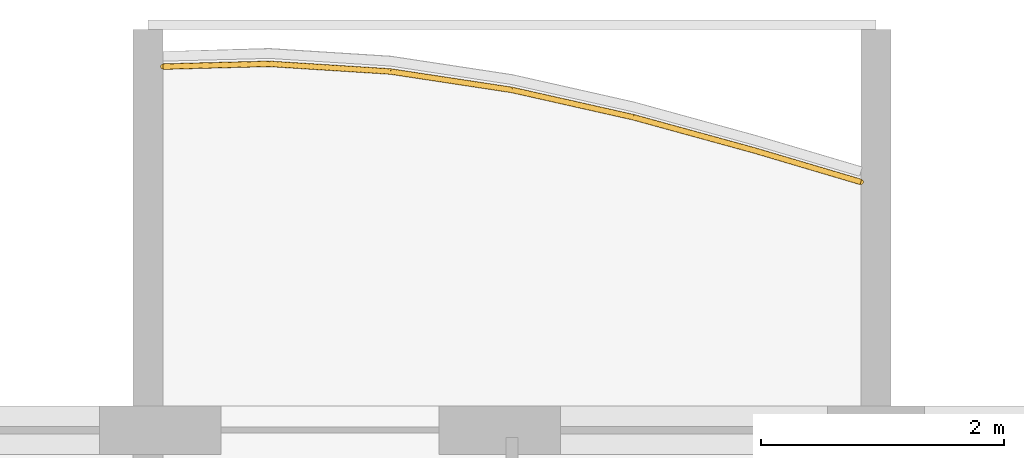
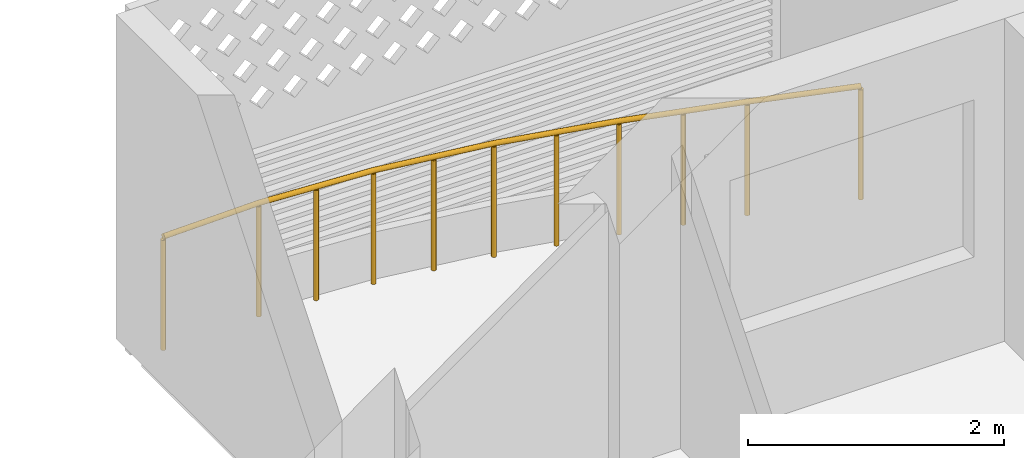
# One storey, part 17 of 26: 1 railing.
"""IFC4 building model written with IfcOpenShell, lengths in metres."""

from ifc_helpers import new_model, si_unit, direction, frame, origin, origin_2d, place, context, subcontext, project, spatial, circle, extrude, material, type_object, element, save


model = new_model("IFC4")

# Units and contexts
model_context = context("Model", 3, precision=1e-05, world=origin(), true_north=direction((0.0, 1.0)))
body_context = subcontext(model_context, "Body", "Model", "MODEL_VIEW")
ifc_project = project(units=[si_unit("LENGTHUNIT", "METRE"), si_unit("AREAUNIT", "SQUARE_METRE"), si_unit("VOLUMEUNIT", "CUBIC_METRE"), si_unit("PLANEANGLEUNIT", "RADIAN"), si_unit("MASSUNIT", "GRAM", prefix="KILO")], contexts=[model_context])

# Site, building, storey
site_placement = place(None, origin())
site = spatial("IfcSite", under=ifc_project, at=site_placement, CompositionType="ELEMENT")
building_placement = place(site_placement, origin())
building = spatial("IfcBuilding", under=site, at=building_placement, Name="Poui Terraces", CompositionType="ELEMENT")
storey_placement = place(building_placement, frame((0.0, 0.0, 244.5)))
storey = spatial("IfcBuildingStorey", under=building, at=storey_placement, Name="L68", CompositionType="ELEMENT", Elevation=244.5)

# Railing
ifc_material = material(Name="Painted steel fretwork", Category="steel")
railing_type = type_object("IfcRailingType", Name="BALCONY GUARD 1100", PredefinedType="GUARDRAIL", material=ifc_material)
railing_placement = place(storey_placement, frame((36.125, 44.196044921875, 0.0)))
element("IfcRailing", 1, at=railing_placement, inside=storey, type_object=railing_type, Name="BALCONY GUARD", PredefinedType="GUARDRAIL", context=body_context, shape_type="SweptSolid", body=[
    extrude(circle(Radius=0.02392578125, at=origin_2d()), frame((0.0, 0.0, 1.076171875), z_axis=(0.999663503425, 0.025939929079, 0.0), x_axis=(-0.025939929079, 0.999663503425, 0.0)), (0.0, 0.0, 1.0), 0.875244140625),
    extrude(circle(Radius=0.02392578125, at=origin_2d()), frame((0.875, 0.022705078125, 1.076171875), z_axis=(0.998006805525, -0.063106387361, 0.0), x_axis=(0.063106387361, 0.998006805525, 0.0)), (0.0, 0.0, 1.0), 1.001953125),
    extrude(circle(Radius=0.02392578125, at=origin_2d()), frame((1.875, -0.04052734375, 1.076171875), z_axis=(0.988665614785, -0.15013428037, 0.0), x_axis=(0.15013428037, 0.988665614785, 0.0)), (0.0, 0.0, 1.0), 1.011474609375),
    extrude(circle(Radius=0.02392578125, at=origin_2d()), frame((2.875, -0.1923828125, 1.076171875), z_axis=(0.975640353268, -0.219376163418, 0.0), x_axis=(0.219376163418, 0.975640353268, 0.0)), (0.0, 0.0, 1.0), 1.02490234375),
    extrude(circle(Radius=0.02392578125, at=origin_2d()), frame((3.875, -0.417236328125, 1.076171875), z_axis=(0.964349713042, -0.264631122426, 0.0), x_axis=(0.264631122426, 0.964349713042, 0.0)), (0.0, 0.0, 1.0), 1.036865234375),
    extrude(circle(Radius=0.02392578125, at=origin_2d()), frame((4.875, -0.691650390625, 1.076171875), z_axis=(0.958865561228, -0.283860591647, 0.0), x_axis=(0.283860591647, 0.958865561228, 0.0)), (0.0, 0.0, 1.0), 0.91259765625),
    extrude(circle(Radius=0.02099609375, at=origin_2d()), origin(), (0.0, 0.0, 1.0), 1.052001953125),
    extrude(circle(Radius=0.02099609375, at=origin_2d()), frame((0.875, 0.022705078125, 0.0)), (0.0, 0.0, 1.0), 1.052001953125),
    extrude(circle(Radius=0.02099609375, at=origin_2d()), frame((1.375, -0.0087890625, 0.0)), (0.0, 0.0, 1.0), 1.052001953125),
    extrude(circle(Radius=0.02099609375, at=origin_2d()), frame((1.875, -0.04052734375, 0.0)), (0.0, 0.0, 1.0), 1.052001953125),
    extrude(circle(Radius=0.02099609375, at=origin_2d()), frame((2.375, -0.116455078125, 0.0)), (0.0, 0.0, 1.0), 1.052001953125),
    extrude(circle(Radius=0.02099609375, at=origin_2d()), frame((2.875, -0.1923828125, 0.0)), (0.0, 0.0, 1.0), 1.052001953125),
    extrude(circle(Radius=0.02099609375, at=origin_2d()), frame((3.375, -0.3046875, 0.0)), (0.0, 0.0, 1.0), 1.052001953125),
    extrude(circle(Radius=0.02099609375, at=origin_2d()), frame((3.875, -0.417236328125, 0.0)), (0.0, 0.0, 1.0), 1.052001953125),
    extrude(circle(Radius=0.02099609375, at=origin_2d()), frame((4.375, -0.554443359375, 0.0)), (0.0, 0.0, 1.0), 1.052001953125),
    extrude(circle(Radius=0.02099609375, at=origin_2d()), frame((4.875, -0.691650390625, 0.0)), (0.0, 0.0, 1.0), 1.052001953125),
    extrude(circle(Radius=0.02099609375, at=origin_2d()), frame((5.75, -0.95068359375, 0.0)), (0.0, 0.0, 1.0), 1.052001953125),
])

save(model, "model.ifc")
